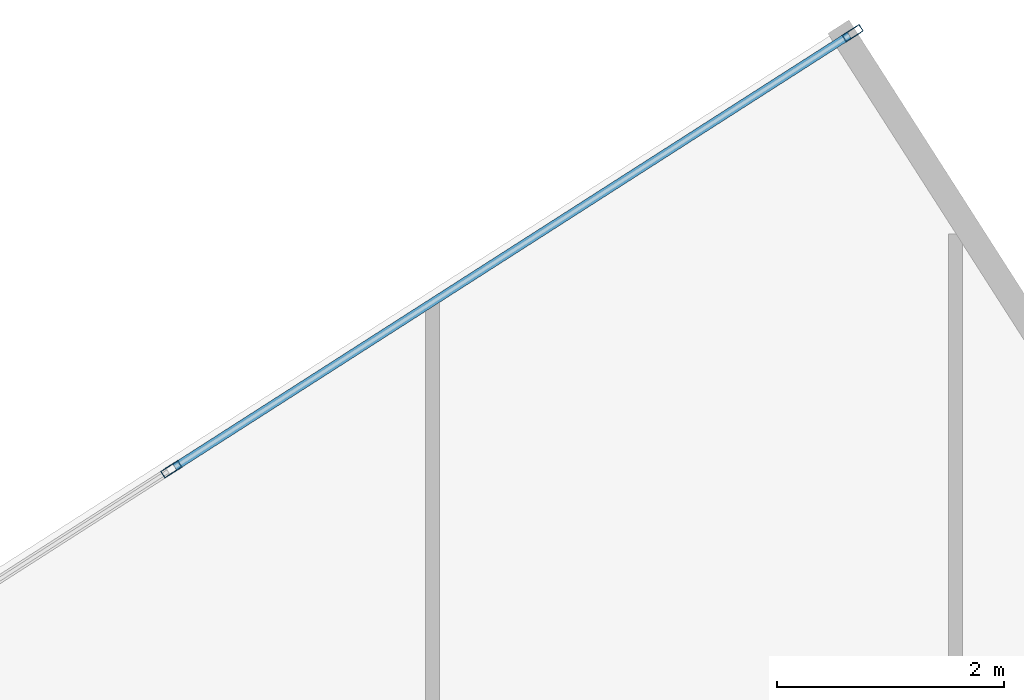
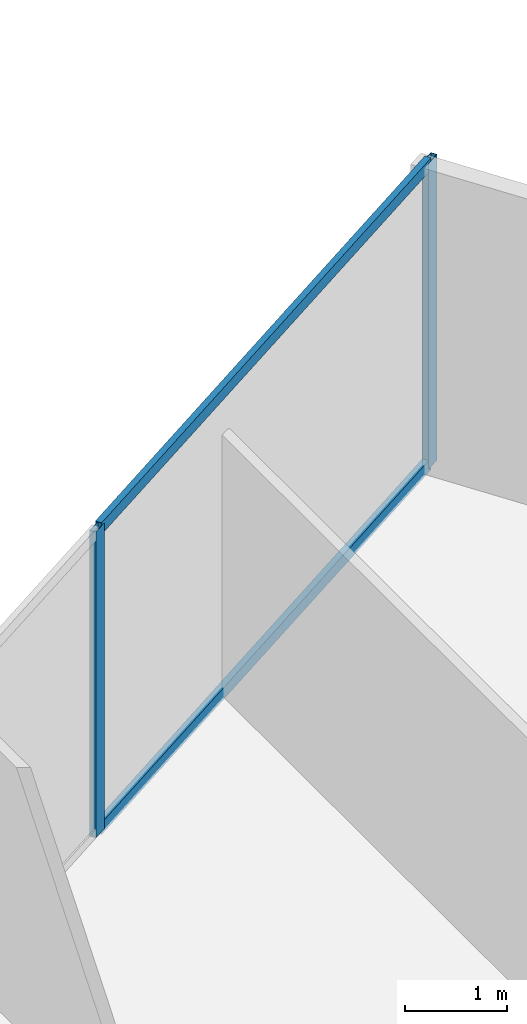
# One storey, part 14 of 20: 4 members, 1 element without a shape of its own.
"""IFC4 building model written with IfcOpenShell, lengths in metres."""

from ifc_helpers import new_model, si_unit, direction, frame, origin, origin_2d, place, context, subcontext, project, spatial, hollow_rectangle, extrude, source, transform, mapped, material, material_profile, profile_set, type_object, type_shapes, element, aggregate, save


model = new_model("IFC4")

# Units and contexts
model_context = context("Model", 3, precision=1e-05, world=origin(), true_north=direction((0.0, 1.0)))
body_context = subcontext(model_context, "Body", "Model", "MODEL_VIEW")
ifc_project = project(units=[si_unit("LENGTHUNIT", "METRE"), si_unit("AREAUNIT", "SQUARE_METRE"), si_unit("VOLUMEUNIT", "CUBIC_METRE"), si_unit("PLANEANGLEUNIT", "RADIAN"), si_unit("MASSUNIT", "GRAM", prefix="KILO")], contexts=[model_context])

# Site, building, storey
site_placement = place(None, origin())
site = spatial("IfcSite", under=ifc_project, at=site_placement, CompositionType="ELEMENT")
building_placement = place(site_placement, origin())
building = spatial("IfcBuilding", under=site, at=building_placement, Name="Krantzveldt Concourse Tower", CompositionType="ELEMENT")
storey_placement = place(building_placement, frame((0.0, 0.0, 287.14990234375)))
storey = spatial("IfcBuildingStorey", under=building, at=storey_placement, Name="L70", CompositionType="ELEMENT", Elevation=287.14990234375)

# Curtain wall, members
ifc_material = material(Name="Anodised aluminium 6063-T6", Category="aluminium")
curtain_wall_type = type_object("IfcCurtainWallType", Name="CW4", PredefinedType="USERDEFINED", material=ifc_material)
curtain_wall_placement = place(storey_placement, origin())
curtain_wall = element("IfcCurtainWall", 1, at=curtain_wall_placement, inside=storey, type_object=curtain_wall_type, Name="CW-L70-F01", ObjectType="UNITISED CURTAIN WALL", PredefinedType="USERDEFINED")
ifc_material_profile_1 = material_profile(ifc_material, hollow_rectangle(XDim=0.070068359375, YDim=0.179931640625, WallThickness=0.0048828125, at=origin_2d()), Name="Anodised aluminium 6063-T6", Category="aluminium")
ifc_profile_set_1 = profile_set([ifc_material_profile_1], Name="Anodised aluminium 6063-T6 - ALU-MULL 180x70x5")
member_type_1 = type_object("IfcMemberType", Name="CW-MUL-180", PredefinedType="MULLION", material=ifc_profile_set_1)
shared_shape_1 = source(origin(), body_context, "Body", "SweptSolid", [
    extrude(hollow_rectangle(XDim=0.070068359375, YDim=0.179931640625, WallThickness=0.0048828125, at=origin_2d()), origin(), (0.0, 0.0, 1.0), 3.670166015625),
])
type_shapes(member_type_1, [shared_shape_1])
member_1_placement = place(storey_placement, frame((37.49560546875, 50.822509765625, 0.0), z_axis=(0.0, 0.0, 1.0), x_axis=(0.53913830827, -0.842217243088, 0.0)))
member_1 = element("IfcMember", 2, at=member_1_placement, type_object=member_type_1, Name="CW-Z56 mullion 1", PredefinedType="MULLION", context=body_context, shape_type="MappedRepresentation", body=[
    mapped(shared_shape_1, transform((0.0, 0.0, 0.0), x_axis=(1.0, 0.0, 0.0), y_axis=(0.0, 1.0, 0.0), z_axis=(0.0, 0.0, 1.0), scale=1.0)),
])
member_2_placement = place(storey_placement, frame((31.503173828125, 46.986572265625, 0.0), z_axis=(0.0, 0.0, 1.0), x_axis=(0.53913830827, -0.842217243088, 0.0)))
member_2 = element("IfcMember", 3, at=member_2_placement, type_object=member_type_1, Name="CW-Z56 mullion 2", PredefinedType="MULLION", context=body_context, shape_type="MappedRepresentation", body=[
    mapped(shared_shape_1, transform((0.0, 0.0, 0.0), x_axis=(1.0, 0.0, 0.0), y_axis=(0.0, 1.0, 0.0), z_axis=(0.0, 0.0, 1.0), scale=1.0)),
])
ifc_material_profile_2 = material_profile(ifc_material, hollow_rectangle(XDim=0.070068359375, YDim=0.139892578125, WallThickness=0.0048828125, at=origin_2d()), Name="Anodised aluminium 6063-T6", Category="aluminium")
ifc_profile_set_2 = profile_set([ifc_material_profile_2], Name="Anodised aluminium 6063-T6 - ALU-TRAN 140x70x5")
member_type_2 = type_object("IfcMemberType", Name="CW-TRN-150", PredefinedType="USERDEFINED", material=ifc_profile_set_2)
shared_shape_2 = source(origin(), body_context, "Body", "SweptSolid", [
    extrude(hollow_rectangle(XDim=0.070068359375, YDim=0.139892578125, WallThickness=0.0048828125, at=origin_2d()), origin(), (0.0, 0.0, 1.0), 7.044921875),
])
type_shapes(member_type_2, [shared_shape_2])
member_3_placement = place(storey_placement, frame((37.466064453125, 50.8037109375, 0.03515625), z_axis=(-0.842207199378, -0.539153997775, 0.0), x_axis=(0.539153997775, -0.842207199378, 0.0)))
member_3 = element("IfcMember", 4, at=member_3_placement, type_object=member_type_2, Name="CW-Z56 transom 1.1", ObjectType="TRANSOM", PredefinedType="USERDEFINED", context=body_context, shape_type="MappedRepresentation", body=[
    mapped(shared_shape_2, transform((0.0, 0.0, 0.0), x_axis=(1.0, 0.0, 0.0), y_axis=(0.0, 1.0, 0.0), z_axis=(0.0, 0.0, 1.0), scale=1.0)),
])
member_4_placement = place(storey_placement, frame((37.466064453125, 50.8037109375, 3.635009765625), z_axis=(-0.842207199378, -0.539153997775, 0.0), x_axis=(0.539153997775, -0.842207199378, 0.0)))
member_4 = element("IfcMember", 5, at=member_4_placement, type_object=member_type_2, Name="CW-Z56 transom 1.2", ObjectType="TRANSOM", PredefinedType="USERDEFINED", context=body_context, shape_type="MappedRepresentation", body=[
    mapped(shared_shape_2, transform((0.0, 0.0, 0.0), x_axis=(1.0, 0.0, 0.0), y_axis=(0.0, 1.0, 0.0), z_axis=(0.0, 0.0, 1.0), scale=1.0)),
])
aggregate(curtain_wall, [member_1, member_2, member_3, member_4])

save(model, "model.ifc")
